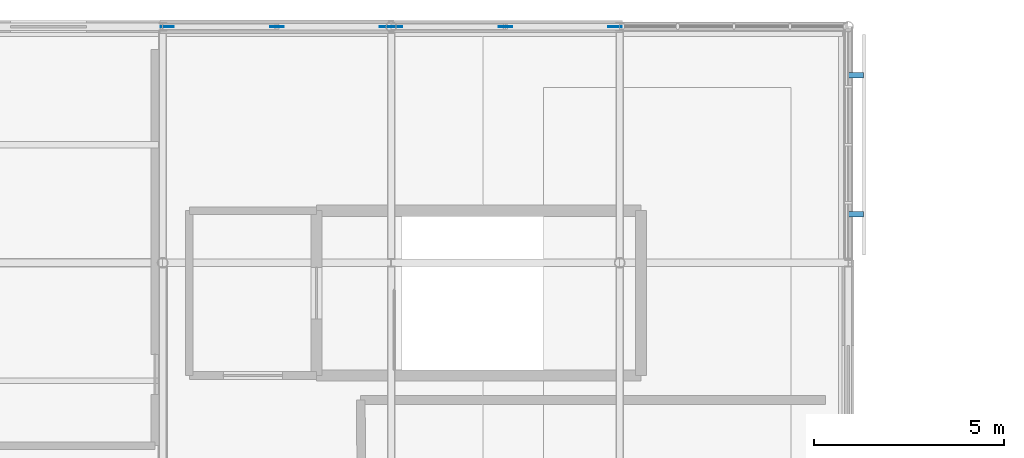
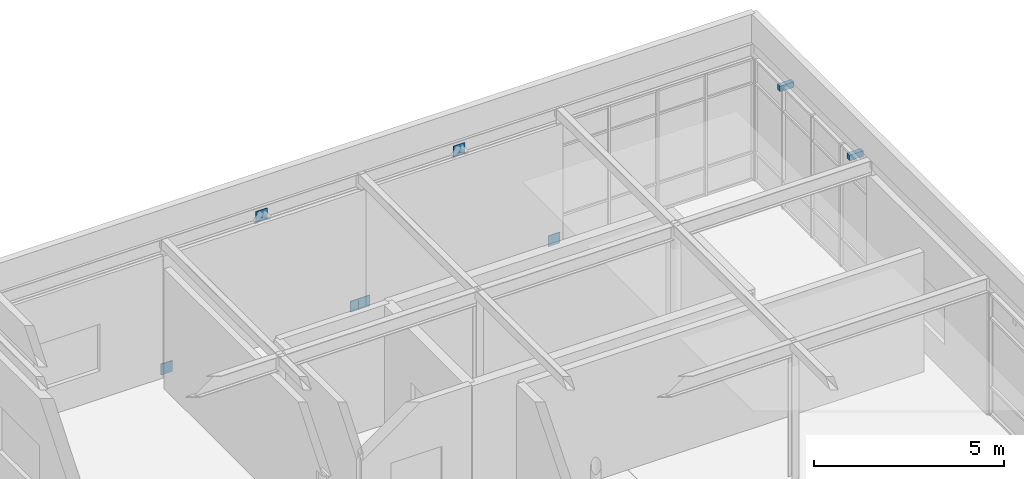
# One storey, part 15 of 16: 8 discrete accessories.
"""IFC4 building model written with IfcOpenShell, lengths in metres."""

import ifcopenshell
import ifcopenshell.guid

model = None  # the IFC model being written
_history = None  # IfcOwnerHistory: only IFC2X3 demands one
_inside = {}  # id of a spatial element -> (the spatial element, [elements in it])
_under = {}  # id of a project, library or spatial element -> (it, [spatial elements below it])
_declared = {}  # id of a project -> (the project, [libraries it declares])
_typed = {}  # id of a type object -> (the type object, [elements of that type])
_made_of = {}  # id of a material, layer set ... -> (it, [elements and type objects made of it])


def new_model(schema):
    """Start an empty IFC model of exactly this schema.

    Asked for "IFC4X3", IfcOpenShell would pick the latest addendum, in which some entities
    have other attributes; the version numbers below select the first issue.
    IFC2X3 requires an IfcOwnerHistory on every rooted entity: one is made here for all.
    """
    global model, _history
    if schema == "IFC4X3":
        model = ifcopenshell.file(schema_version=(4, 3, 0, 0))
    else:
        model = ifcopenshell.file(schema=schema)
    _inside.clear()
    _under.clear()
    _declared.clear()
    _typed.clear()
    _made_of.clear()
    _history = None
    if model.schema == "IFC2X3":
        org = make("IfcOrganization", Name="unknown")
        user = make(
            "IfcPersonAndOrganization",
            ThePerson=make("IfcPerson", FamilyName="unknown"),
            TheOrganization=org,
        )
        app = make(
            "IfcApplication",
            ApplicationDeveloper=org,
            Version="unknown",
            ApplicationFullName="unknown",
            ApplicationIdentifier="unknown",
        )
        _history = make(
            "IfcOwnerHistory",
            OwningUser=user,
            OwningApplication=app,
            ChangeAction="ADDED",
            CreationDate=0,
        )
    return model


def make(cls, **values):
    """One entity of the class cls with the attributes given. An attribute that is None is left unset."""
    return model.create_entity(
        cls, **{name: value for name, value in values.items() if value is not None}
    )


def rooted(cls, **values):
    """An entity with a GlobalId (a new one), such as an element, a storey or a relation."""
    return make(cls, GlobalId=ifcopenshell.guid.new(), OwnerHistory=_history, **values)


def si_unit(unit_type, name, prefix=None):
    """IfcSIUnit, for example si_unit("LENGTHUNIT", "METRE", prefix="MILLI")."""
    return make("IfcSIUnit", UnitType=unit_type, Prefix=prefix, Name=name)


def assignment(units):
    """IfcUnitAssignment: the units of a project."""
    return None if units is None else make("IfcUnitAssignment", Units=units)


def point(xyz):
    """IfcCartesianPoint."""
    return None if xyz is None else make("IfcCartesianPoint", Coordinates=xyz)


def direction(xyz):
    """IfcDirection."""
    return None if xyz is None else make("IfcDirection", DirectionRatios=xyz)


def frame(location, z_axis=None, x_axis=None):
    """IfcAxis2Placement3D, a coordinate frame: its origin and axes. An axis left out is left unset."""
    return make(
        "IfcAxis2Placement3D",
        Location=point(location),
        Axis=direction(z_axis),
        RefDirection=direction(x_axis),
    )


def frame_2d(location, x_axis=None):
    """IfcAxis2Placement2D, a coordinate frame in the plane: its origin and x axis."""
    return make(
        "IfcAxis2Placement2D", Location=point(location), RefDirection=direction(x_axis)
    )


def origin():
    """The frame at (0, 0, 0) with its axes left unset."""
    return frame((0.0, 0.0, 0.0))


def origin_2d():
    """The frame at (0, 0) in the plane with its x axis left unset."""
    return frame_2d((0.0, 0.0))


def place(relative_to, where):
    """IfcLocalPlacement: puts the frame where relative to a parent placement (None: the world)."""
    return make(
        "IfcLocalPlacement", PlacementRelTo=relative_to, RelativePlacement=where
    )


def context(
    kind, dimensions, precision=None, world=None, true_north=None, identifier=None
):
    """IfcGeometricRepresentationContext, for example the 3D "Model" context."""
    return make(
        "IfcGeometricRepresentationContext",
        ContextIdentifier=identifier,
        ContextType=kind,
        CoordinateSpaceDimension=dimensions,
        Precision=precision,
        WorldCoordinateSystem=world,
        TrueNorth=true_north,
    )


def subcontext(parent, identifier, kind, view, scale=None):
    """IfcGeometricRepresentationSubContext, for example "Body" below "Model"."""
    return make(
        "IfcGeometricRepresentationSubContext",
        ContextIdentifier=identifier,
        ContextType=kind,
        ParentContext=parent,
        TargetScale=scale,
        TargetView=view,
    )


def project(units=None, contexts=None):
    """IfcProject with its units and contexts."""
    return rooted(
        "IfcProject",
        Name="project",
        RepresentationContexts=contexts,
        UnitsInContext=assignment(units),
    )


def spatial(cls, under=None, at=None, **own):
    """A site, building, storey or space (cls), placed at a placement, below another one or the project."""
    s = rooted(cls, ObjectPlacement=at, **own)
    if under is not None:
        _under.setdefault(under.id(), (under, []))[1].append(s)
    return s


def profile(cls, at=None, kind="AREA", **sizes):
    """A parametric profile (cls). Its sizes go by their IFC names, for example OverallWidth=200.0."""
    return make(cls, ProfileType=kind, Position=at, **sizes)


def rectangle(**sizes):
    """IfcRectangleProfileDef."""
    return profile("IfcRectangleProfileDef", **sizes)


def extrude(swept, where, along, depth):
    """IfcExtrudedAreaSolid: the profile swept, set in the frame where, extruded along a direction by depth."""
    return make(
        "IfcExtrudedAreaSolid",
        SweptArea=swept,
        Position=where,
        ExtrudedDirection=direction(along),
        Depth=depth,
    )


def shape(context_of_items, identifier, shape_type, items):
    """IfcShapeRepresentation: the items that make up one representation, for example the "Body"."""
    return make(
        "IfcShapeRepresentation",
        ContextOfItems=context_of_items,
        RepresentationIdentifier=identifier,
        RepresentationType=shape_type,
        Items=items,
    )


def material(Name=None, Category=None):
    """IfcMaterial."""
    return make("IfcMaterial", Name=Name, Category=Category)


def made_of(thing, what):
    """Note that an element or type object is made of a material, layer set ...; save() writes the relation."""
    if what is not None:
        _made_of.setdefault(what.id(), (what, []))[1].append(thing)
    return thing


def type_object(cls, material=None, **own):
    """A type object (cls), such as IfcWallType, which elements share."""
    return made_of(rooted(cls, **own), material)


def element(
    cls,
    number,
    at=None,
    inside=None,
    cuts=None,
    type_object=None,
    material=None,
    context=None,
    identifier="Body",
    shape_type=None,
    held_by="IfcProductDefinitionShape",
    body=None,
    shapes=None,
    **own,
):
    """One element of the class cls, such as IfcWall. Its Tag is "e" and its number.

    at: its placement. inside: the storey or other place that contains it. cuts: it is an
    opening in that element (IfcRelVoidsElement). A single representation is given by context,
    identifier, shape_type and body (its items); several are given by shapes. held_by: the class
    of the entity that holds the representations. save() writes the other relations.
    """
    e = rooted(cls, Tag="e%d" % number, ObjectPlacement=at, **own)
    if body is not None:
        shapes = [shape(context, identifier, shape_type, body)]
    if shapes is not None:
        e.Representation = make(held_by, Representations=shapes)
    if inside is not None:
        _inside.setdefault(inside.id(), (inside, []))[1].append(e)
    if cuts is not None:
        rooted(
            "IfcRelVoidsElement", RelatingBuildingElement=cuts, RelatedOpeningElement=e
        )
    if type_object is not None:
        _typed.setdefault(type_object.id(), (type_object, []))[1].append(e)
    return made_of(e, material)


def aggregate(whole, parts):
    """IfcRelAggregates: a whole, such as a stair, and the parts it consists of."""
    return rooted("IfcRelAggregates", RelatingObject=whole, RelatedObjects=parts)


def save(model, path):
    """Write the relations noted so far, then the file.

    IfcRelAggregates (storeys below a building ...), IfcRelContainedInSpatialStructure (elements
    in a storey), IfcRelDefinesByType, IfcRelAssociatesMaterial and IfcRelDeclares: one each for
    every whole, place, type object, material and project.
    """
    for whole, parts in _under.values():
        aggregate(whole, parts)
    for where, things in _inside.values():
        rooted(
            "IfcRelContainedInSpatialStructure",
            RelatedElements=things,
            RelatingStructure=where,
        )
    for kind, things in _typed.values():
        rooted("IfcRelDefinesByType", RelatedObjects=things, RelatingType=kind)
    for what, things in _made_of.values():
        rooted("IfcRelAssociatesMaterial", RelatedObjects=things, RelatingMaterial=what)
    for by, libraries in _declared.values():
        rooted("IfcRelDeclares", RelatingContext=by, RelatedDefinitions=libraries)
    model.write(path)


model = new_model("IFC4")

# Units and contexts
model_context = context("Model", 3, precision=1e-05, world=origin(), true_north=direction((0.0, 1.0)))
body_context = subcontext(model_context, "Body", "Model", "MODEL_VIEW")
ifc_project = project(units=[si_unit("LENGTHUNIT", "METRE"), si_unit("AREAUNIT", "SQUARE_METRE"), si_unit("VOLUMEUNIT", "CUBIC_METRE"), si_unit("PLANEANGLEUNIT", "RADIAN"), si_unit("MASSUNIT", "GRAM", prefix="KILO")], contexts=[model_context])

# Site, building, storey
site_placement = place(None, origin())
site = spatial("IfcSite", under=ifc_project, at=site_placement, CompositionType="ELEMENT")
building_placement = place(site_placement, origin())
building = spatial("IfcBuilding", under=site, at=building_placement, Name="Mirzam Square Science Centre", CompositionType="ELEMENT")
storey_placement = place(building_placement, frame((0.0, 0.0, 25.199951171875)))
storey = spatial("IfcBuildingStorey", under=building, at=storey_placement, Name="L05", CompositionType="ELEMENT", Elevation=25.199951171875)

# Discrete accessories
ifc_material = material(Name="Steel S355", Category="steel")
discrete_accessory_type_1 = type_object("IfcDiscreteAccessoryType", Name="BK-BRACE-GUSSET", PredefinedType="BRACKET", material=ifc_material)
for number, where, z_axis, x_axis, name in (
    (1, (120.1201171875, 111.60009765625, -0.0048828125), (0.0, 0.0, 1.0), (1.0, 0.0, 0.0), "L05 brace gusset plate 8A"),
    (2, (125.8798828125, 111.60009765625, -0.0048828125), (0.0, 0.0, 1.0), (1.0, 0.0, 0.0), "L05 brace gusset plate 8B"),
    (3, (123.0, 111.60009765625, 3.885009765625), (0.0, 0.0, 1.0), (1.0, 0.0, 0.0), "L05 brace apex gusset plate 8"),
    (4, (126.1201171875, 111.60009765625, -0.0048828125), (0.0, 0.0, 1.0), (1.0, 0.0, 0.0), "L05 brace gusset plate 9A"),
    (5, (131.8798828125, 111.60009765625, -0.0048828125), (0.0, 0.0, 1.0), (1.0, 0.0, 0.0), "L05 brace gusset plate 9B"),
    (6, (129.0, 111.60009765625, 3.885009765625), (0.0, 0.0, 1.0), (1.0, 0.0, 0.0), "L05 brace apex gusset plate 9"),
):
    element("IfcDiscreteAccessory", number, at=place(storey_placement, frame(where, z_axis=z_axis, x_axis=x_axis)), inside=storey, type_object=discrete_accessory_type_1, Name=name, PredefinedType="BRACKET", context=body_context, shape_type="SweptSolid", body=[
        extrude(rectangle(XDim=0.35009765625, YDim=0.02490234375, at=origin_2d()), origin(), (0.0, 0.0, 1.0), 0.35009765625),
    ])
discrete_accessory_type_2 = type_object("IfcDiscreteAccessoryType", Name="BRK-BRISE-STEEL", PredefinedType="BRACKET", material=ifc_material)
for number, where, z_axis, x_axis, name in (
    (7, (138.18994140625, 106.673095703125, 3.580078125), (0.0, 0.0, 1.0), (0.0, 1.0, 0.0), "L05 brise-soleil support bracket 158"),
    (8, (138.18994140625, 110.326904296875, 3.580078125), (0.0, 0.0, 1.0), (0.0, 1.0, 0.0), "L05 brise-soleil support bracket 158"),
):
    element("IfcDiscreteAccessory", number, at=place(storey_placement, frame(where, z_axis=z_axis, x_axis=x_axis)), inside=storey, type_object=discrete_accessory_type_2, Name=name, PredefinedType="BRACKET", context=body_context, shape_type="SweptSolid", body=[
        extrude(rectangle(XDim=0.139892578125, YDim=0.419921875, at=origin_2d()), origin(), (0.0, 0.0, 1.0), 0.179931640625),
    ])

save(model, "model.ifc")
